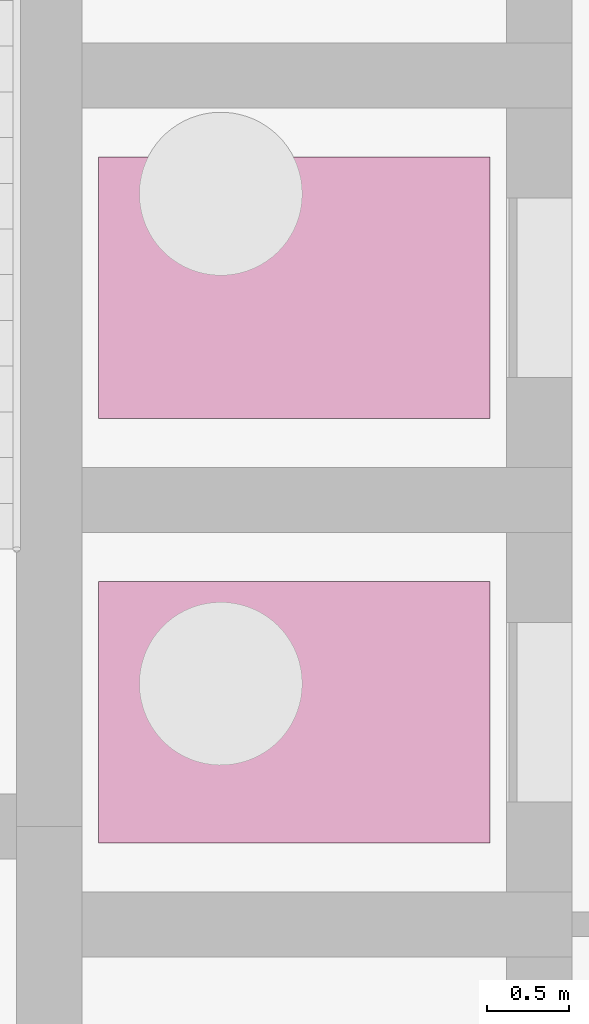
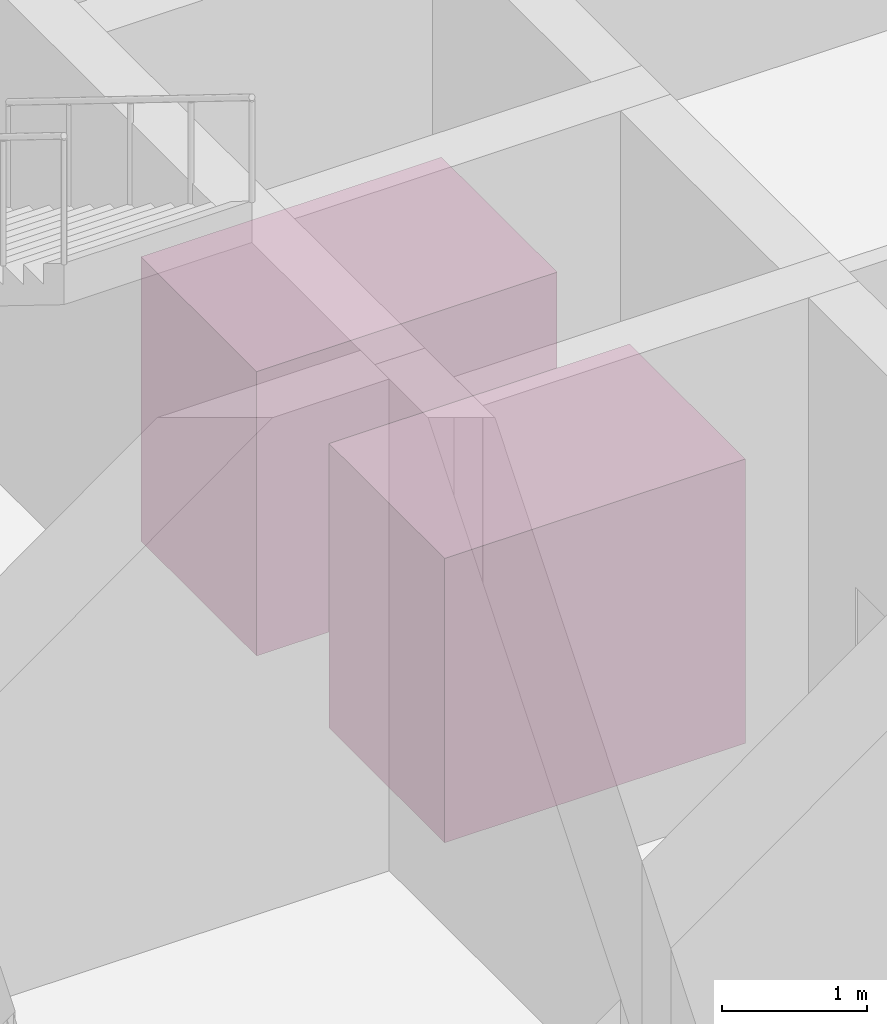
# One storey, part 16 of 16: 2 transport elements.
"""IFC4 building model written with IfcOpenShell, lengths in metres."""

from ifc_helpers import new_model, si_unit, direction, frame, origin, origin_2d, place, context, subcontext, project, spatial, rectangle, extrude, material, type_object, element, save


model = new_model("IFC4")

# Units and contexts
model_context = context("Model", 3, precision=1e-05, world=origin(), true_north=direction((0.0, 1.0)))
body_context = subcontext(model_context, "Body", "Model", "MODEL_VIEW")
ifc_project = project(units=[si_unit("LENGTHUNIT", "METRE"), si_unit("AREAUNIT", "SQUARE_METRE"), si_unit("VOLUMEUNIT", "CUBIC_METRE"), si_unit("PLANEANGLEUNIT", "RADIAN"), si_unit("MASSUNIT", "GRAM", prefix="KILO")], contexts=[model_context])

# Site, building, storey
site_placement = place(None, origin())
site = spatial("IfcSite", under=ifc_project, at=site_placement, CompositionType="ELEMENT")
building_placement = place(site_placement, origin())
building = spatial("IfcBuilding", under=site, at=building_placement, Name="Ludao Terraces", CompositionType="ELEMENT")
storey_placement = place(building_placement, frame((0.0, 0.0, -9.0)))
storey = spatial("IfcBuildingStorey", under=building, at=storey_placement, Name="B2", CompositionType="ELEMENT", Elevation=-9.0)

# Transport elements
ifc_material = material(Name="Stainless steel 304", Category="steel")
transport_element_type = type_object("IfcTransportElementType", Name="INT Passenger lift car", PredefinedType="ELEVATOR", material=ifc_material)
for number, where, z_axis, x_axis, name in (
    (1, (80.949951171875, 78.0, 0.0), (0.0, 0.0, 1.0), (1.0, 0.0, 0.0), "LIFT FF1"),
    (2, (80.949951171875, 80.60009765625, 0.0), (0.0, 0.0, 1.0), (1.0, 0.0, 0.0), "LIFT FF2"),
):
    element("IfcTransportElement", number, at=place(storey_placement, frame(where, z_axis=z_axis, x_axis=x_axis)), inside=storey, type_object=transport_element_type, Name=name, PredefinedType="ELEVATOR", context=body_context, shape_type="SweptSolid", body=[
        extrude(rectangle(XDim=2.39990234375, YDim=1.60009765625, at=origin_2d()), origin(), (0.0, 0.0, 1.0), 2.39990234375),
    ])

save(model, "model.ifc")
